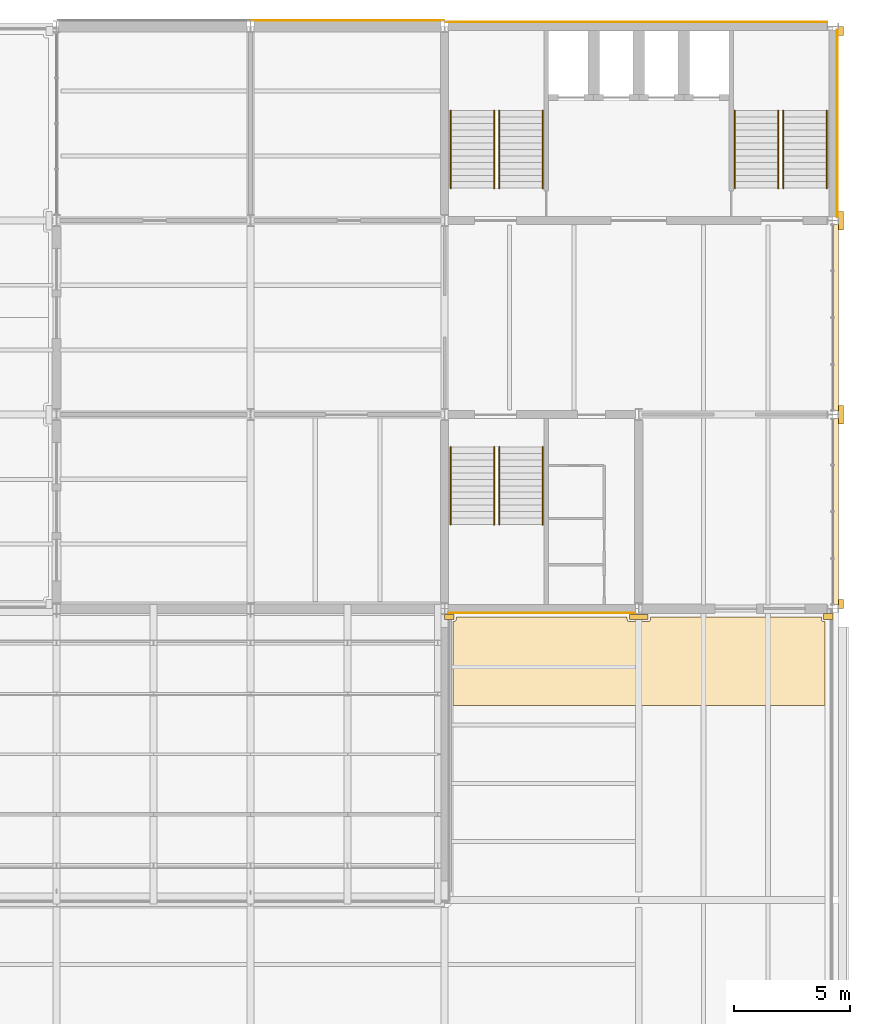
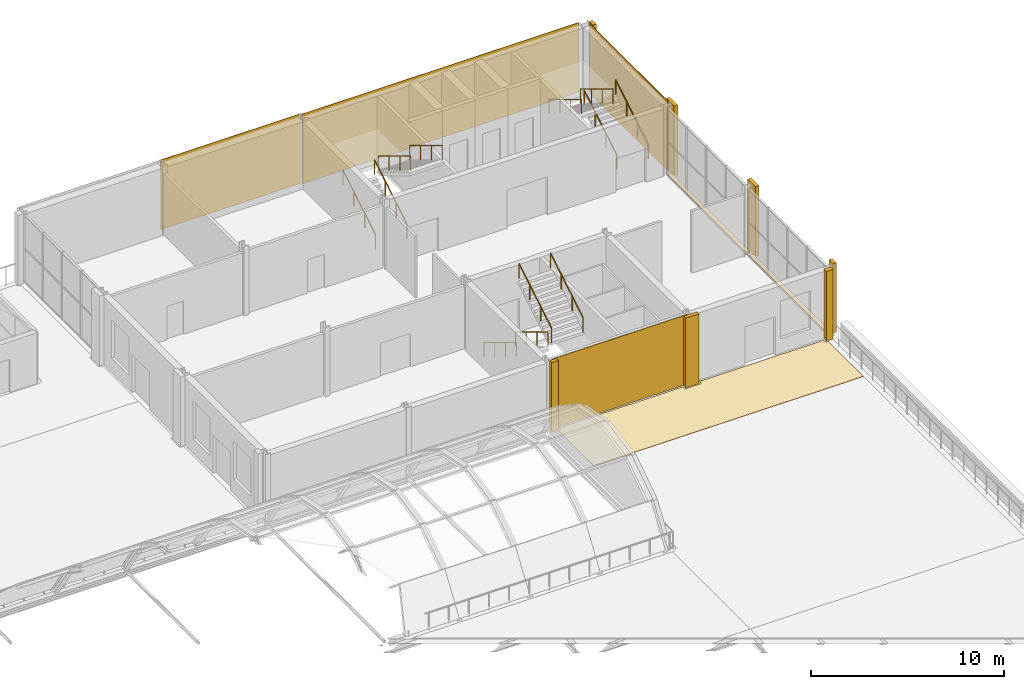
# One storey, part 55 of 58: 14 coverings, 12 railings.
"""IFC4 building model written with IfcOpenShell, lengths in metres."""

from ifc_helpers import new_model, si_unit, direction, frame, origin, origin_2d, place, context, subcontext, project, spatial, polyline, rectangle, circle, outline, extrude, material, layer, layer_set, type_object, element, save


model = new_model("IFC4")

# Units and contexts
model_context = context("Model", 3, precision=1e-05, world=origin(), true_north=direction((0.0, 1.0)))
body_context = subcontext(model_context, "Body", "Model", "MODEL_VIEW")
ifc_project = project(units=[si_unit("LENGTHUNIT", "METRE"), si_unit("AREAUNIT", "SQUARE_METRE"), si_unit("VOLUMEUNIT", "CUBIC_METRE"), si_unit("PLANEANGLEUNIT", "RADIAN"), si_unit("MASSUNIT", "GRAM", prefix="KILO")], contexts=[model_context])

# Site, building, storey
site_placement = place(None, origin())
site = spatial("IfcSite", under=ifc_project, at=site_placement, CompositionType="ELEMENT")
building_placement = place(site_placement, origin())
building = spatial("IfcBuilding", under=site, at=building_placement, Name="Galleria Vessillo Department Store", CompositionType="ELEMENT")
storey_placement = place(building_placement, frame((0.0, 0.0, 31.199951171875)))
storey = spatial("IfcBuildingStorey", under=building, at=storey_placement, Name="L06", CompositionType="ELEMENT", Elevation=31.199951171875)

# Coverings
ifc_material_1 = material(Name="Lime plaster (intonaco) ochre")
ifc_layer_1 = layer(ifc_material_1, 0.030029296875)
ifc_layer_set_1 = layer_set([ifc_layer_1], Name="Lime plaster (intonaco) ochre")
covering_type_1 = type_object("IfcCoveringType", Name="Lime plaster render 30 mm", PredefinedType="CLADDING", material=ifc_layer_set_1)
covering_1_placement = place(storey_placement, frame((96.60009765625, 63.264892578125, 0.0), z_axis=(0.0, 0.0, 1.0), x_axis=(1.0, 0.0, 0.0)))
element("IfcCovering", 1, at=covering_1_placement, inside=storey, type_object=covering_type_1, Name="Wall cladding S-TN-L06-02", PredefinedType="CLADDING", context=body_context, shape_type="SweptSolid", body=[
    extrude(rectangle(XDim=8.34033203125, YDim=0.030029296875, at=origin_2d()), origin(), (0.0, 0.0, 1.0), 4.39990234375),
])
covering_2_placement = place(storey_placement, frame((109.090087890625, 63.18994140625, 0.0), z_axis=(0.0, 0.0, 1.0), x_axis=(1.0, 0.0, 0.0)))
element("IfcCovering", 2, at=covering_2_placement, inside=storey, type_object=covering_type_1, Name="Wall cladding S-CW-TC-PARTY-L06", PredefinedType="CLADDING", context=body_context, shape_type="SweptSolid", body=[
    extrude(rectangle(XDim=16.52001953125, YDim=0.030029296875, at=origin_2d()), origin(), (0.0, 0.0, 1.0), 4.39990234375),
])
ifc_material_2 = material(Name="Botticino limestone ashlar", Category="masonry")
ifc_layer_2 = layer(ifc_material_2, 0.14990234375)
ifc_layer_set_2 = layer_set([ifc_layer_2], Name="Botticino limestone ashlar")
covering_type_2 = type_object("IfcCoveringType", Name="Limestone slab-edge fascia 150 mm", PredefinedType="CLADDING", material=ifc_layer_set_2)
covering_3_placement = place(storey_placement, frame((117.72509765625, 42.0, -0.14990234375), z_axis=(0.0, 0.0, 1.0), x_axis=(1.0, 0.0, 0.0)))
element("IfcCovering", 3, at=covering_3_placement, inside=storey, type_object=covering_type_2, Name="Slab-edge fascia SE-L05-04", PredefinedType="CLADDING", context=body_context, shape_type="SweptSolid", body=[
    extrude(rectangle(XDim=0.25, YDim=8.093017578125, at=origin_2d()), origin(), (0.0, 0.0, 1.0), 0.14990234375),
])
covering_4_placement = place(storey_placement, frame((117.72509765625, 50.39990234375, -0.14990234375), z_axis=(0.0, 0.0, 1.0), x_axis=(1.0, 0.0, 0.0)))
element("IfcCovering", 4, at=covering_4_placement, inside=storey, type_object=covering_type_2, Name="Slab-edge fascia SE-L05-05", PredefinedType="CLADDING", context=body_context, shape_type="SweptSolid", body=[
    extrude(rectangle(XDim=0.25, YDim=8.09326171875, at=origin_2d()), origin(), (0.0, 0.0, 1.0), 0.14990234375),
])
ifc_material_3 = material(Name="Botticino limestone ashlar", Category="masonry")
ifc_layer_3 = layer(ifc_material_3, 0.31005859375)
ifc_layer_set_3 = layer_set([ifc_layer_3], Name="Botticino limestone ashlar")
covering_type_3 = type_object("IfcCoveringType", Name="Limestone tower pilaster strip", PredefinedType="CLADDING", material=ifc_layer_set_3)
covering_5_placement = place(storey_placement, frame((117.955078125, 38.0, 0.0), z_axis=(0.0, 0.0, 1.0), x_axis=(1.0, 0.0, 0.0)))
element("IfcCovering", 5, at=covering_5_placement, inside=storey, type_object=covering_type_3, Name="Tower pilaster strip E L06 37.8", PredefinedType="CLADDING", context=body_context, shape_type="SweptSolid", body=[
    extrude(rectangle(XDim=0.2099609375, YDim=0.39990234375, at=origin_2d()), origin(), (0.0, 0.0, 1.0), 4.39990234375),
])
for number, where, z_axis, x_axis, name in (
    (6, (117.955078125, 46.199951171875, 0.0), (0.0, 0.0, 1.0), (1.0, 0.0, 0.0), "Tower pilaster strip E L06 46.2"),
    (7, (117.955078125, 54.60009765625, 0.0), (0.0, 0.0, 1.0), (1.0, 0.0, 0.0), "Tower pilaster strip E L06 54.6"),
):
    element("IfcCovering", number, at=place(storey_placement, frame(where, z_axis=z_axis, x_axis=x_axis)), inside=storey, type_object=covering_type_3, Name=name, PredefinedType="CLADDING", context=body_context, shape_type="SweptSolid", body=[
        extrude(rectangle(XDim=0.2099609375, YDim=0.800048828125, at=origin_2d()), origin(), (0.0, 0.0, 1.0), 4.39990234375),
    ])
covering_6_placement = place(storey_placement, frame((117.955078125, 62.800048828125, 0.0), z_axis=(0.0, 0.0, 1.0), x_axis=(1.0, 0.0, 0.0)))
element("IfcCovering", 8, at=covering_6_placement, inside=storey, type_object=covering_type_3, Name="Tower pilaster strip E L06 63.0", PredefinedType="CLADDING", context=body_context, shape_type="SweptSolid", body=[
    extrude(rectangle(XDim=0.2099609375, YDim=0.39990234375, at=origin_2d()), origin(), (0.0, 0.0, 1.0), 4.39990234375),
])
covering_7_placement = place(storey_placement, frame((101.0, 37.445068359375, 0.0), z_axis=(0.0, 0.0, 1.0), x_axis=(1.0, 0.0, 0.0)))
element("IfcCovering", 9, at=covering_7_placement, inside=storey, type_object=covering_type_3, Name="Tower pilaster strip S L06 100.8", PredefinedType="CLADDING", context=body_context, shape_type="SweptSolid", body=[
    extrude(rectangle(XDim=0.39990234375, YDim=0.2099609375, at=origin_2d()), origin(), (0.0, 0.0, 1.0), 4.39990234375),
])
covering_8_placement = place(storey_placement, frame((109.199951171875, 37.445068359375, 0.0), z_axis=(0.0, 0.0, 1.0), x_axis=(1.0, 0.0, 0.0)))
element("IfcCovering", 10, at=covering_8_placement, inside=storey, type_object=covering_type_3, Name="Tower pilaster strip S L06 109.2", PredefinedType="CLADDING", context=body_context, shape_type="SweptSolid", body=[
    extrude(rectangle(XDim=0.800048828125, YDim=0.2099609375, at=origin_2d()), origin(), (0.0, 0.0, 1.0), 4.39990234375),
])
covering_9_placement = place(storey_placement, frame((117.400146484375, 37.469970703125, 0.0), z_axis=(0.0, 0.0, 1.0), x_axis=(1.0, 0.0, 0.0)))
element("IfcCovering", 11, at=covering_9_placement, inside=storey, type_object=covering_type_3, Name="Tower pilaster strip S L06 117.6", PredefinedType="CLADDING", context=body_context, shape_type="SweptSolid", body=[
    extrude(rectangle(XDim=0.39990234375, YDim=0.260009765625, at=origin_2d()), origin(), (0.0, 0.0, 1.0), 4.39990234375),
])
ifc_material_4 = material(Name="Botticino limestone ashlar", Category="masonry")
ifc_layer_4 = layer(ifc_material_4, 0.030029296875)
ifc_layer_set_4 = layer_set([ifc_layer_4], Name="Botticino limestone ashlar")
covering_type_4 = type_object("IfcCoveringType", Name="Limestone wall cladding 30 mm", PredefinedType="CLADDING", material=ifc_layer_set_4)
covering_10_placement = place(storey_placement, frame((117.7900390625, 58.800048828125, 0.0), z_axis=(0.0, 0.0, 1.0), x_axis=(1.0, 0.0, 0.0)))
element("IfcCovering", 12, at=covering_10_placement, inside=storey, type_object=covering_type_4, Name="Wall cladding S-CW-TC-EAST-L06", PredefinedType="CLADDING", context=body_context, shape_type="SweptSolid", body=[
    extrude(rectangle(XDim=0.030029296875, YDim=8.099853515625, at=origin_2d()), origin(), (0.0, 0.0, 1.0), 4.39990234375),
])
covering_11_placement = place(storey_placement, frame((105.0, 37.610107421875, 0.0), z_axis=(0.0, 0.0, 1.0), x_axis=(1.0, 0.0, 0.0)))
element("IfcCovering", 13, at=covering_11_placement, inside=storey, type_object=covering_type_4, Name="Wall cladding S-CW-TS-PARTY-L06", PredefinedType="CLADDING", context=body_context, shape_type="SweptSolid", body=[
    extrude(rectangle(XDim=8.099853515625, YDim=0.030029296875, at=origin_2d()), origin(), (0.0, 0.0, 1.0), 4.39990234375),
])
ifc_material_5 = material(Name="Serizzo granite paving", Category="masonry")
ifc_layer_5 = layer(ifc_material_5, 0.0400390625)
ifc_layer_set_5 = layer_set([ifc_layer_5], Name="Serizzo granite paving")
covering_type_5 = type_object("IfcCoveringType", Name="Serizzo stone terrace paving 40 mm", PredefinedType="FLOORING", material=ifc_layer_set_5)
covering_12_placement = place(storey_placement, origin())
element("IfcCovering", 14, at=covering_12_placement, inside=storey, type_object=covering_type_5, Name="Terrace paving L06 field 25", PredefinedType="FLOORING", context=body_context, shape_type="SweptSolid", body=[
    extrude(outline(polyline([(101.150146484375, 37.239990234375), (101.199951171875, 37.239990234375), (101.209716796875, 37.240478515625), (101.219482421875, 37.241943359375), (101.22900390625, 37.244384765625), (101.23828125, 37.24755859375), (101.2470703125, 37.251708984375), (101.255615234375, 37.2568359375), (101.263427734375, 37.2626953125), (101.270751953125, 37.269287109375), (101.27734375, 37.276611328125), (101.283203125, 37.284423828125), (101.2880859375, 37.29296875), (101.29248046875, 37.3017578125), (101.295654296875, 37.31103515625), (101.298095703125, 37.320556640625), (101.299560546875, 37.330078125), (101.300048828125, 37.340087890625), (101.300048828125, 37.449951171875), (108.699951171875, 37.449951171875), (108.699951171875, 37.340087890625), (108.700439453125, 37.330078125), (108.701904296875, 37.320556640625), (108.704345703125, 37.31103515625), (108.70751953125, 37.3017578125), (108.7119140625, 37.29296875), (108.716796875, 37.284423828125), (108.72265625, 37.276611328125), (108.729248046875, 37.269287109375), (108.736572265625, 37.2626953125), (108.744384765625, 37.2568359375), (108.7529296875, 37.251708984375), (108.76171875, 37.24755859375), (108.77099609375, 37.244384765625), (108.780517578125, 37.241943359375), (108.790283203125, 37.240478515625), (108.800048828125, 37.239990234375), (109.60009765625, 37.239990234375), (109.60986328125, 37.240478515625), (109.61962890625, 37.241943359375), (109.629150390625, 37.244384765625), (109.63818359375, 37.24755859375), (109.647216796875, 37.251708984375), (109.655517578125, 37.2568359375), (109.663330078125, 37.2626953125), (109.670654296875, 37.269287109375), (109.67724609375, 37.276611328125), (109.68310546875, 37.284423828125), (109.688232421875, 37.29296875), (109.6923828125, 37.3017578125), (109.69580078125, 37.31103515625), (109.697998046875, 37.320556640625), (109.699462890625, 37.330078125), (109.699951171875, 37.340087890625), (109.699951171875, 37.449951171875), (117.10009765625, 37.449951171875), (117.10009765625, 37.340087890625), (117.1005859375, 37.330078125), (117.10205078125, 37.320556640625), (117.1044921875, 37.31103515625), (117.107666015625, 37.3017578125), (117.11181640625, 37.29296875), (117.116943359375, 37.284423828125), (117.122802734375, 37.276611328125), (117.12939453125, 37.269287109375), (117.13671875, 37.2626953125), (117.14453125, 37.2568359375), (117.153076171875, 37.251708984375), (117.161865234375, 37.24755859375), (117.171142578125, 37.244384765625), (117.1806640625, 37.241943359375), (117.190185546875, 37.240478515625), (117.2001953125, 37.239990234375), (117.25, 37.239990234375), (117.25, 33.60009765625), (101.150146484375, 33.60009765625), (101.150146484375, 37.239990234375)])), origin(), (0.0, 0.0, 1.0), 0.0400390625),
])

# Railings
ifc_material_6 = material(Name="Stainless steel tube", Category="steel")
railing_type = type_object("IfcRailingType", Name="Stair handrail steel tube 48 mm", PredefinedType="HANDRAIL", material=ifc_material_6)
for number, where, name in (
    (15, (101.06005859375, 56.0, 0.169189453125), "Handrail ST8 L06 flight 1A"),
    (16, (102.93994140625, 56.0, 0.169189453125), "Handrail ST8 L06 flight 1B"),
):
    element("IfcRailing", number, at=place(storey_placement, frame(where)), inside=storey, type_object=railing_type, Name=name, PredefinedType="HANDRAIL", context=body_context, shape_type="SweptSolid", body=[
        extrude(circle(Radius=0.02392578125, at=origin_2d()), frame((0.0, 0.0, 0.89599609375), z_axis=(0.0, 0.855826086875, 0.517263674565), x_axis=(-1.0, 0.0, 0.0)), (0.0, 0.0, 1.0), 1.308837890625),
        extrude(circle(Radius=0.02392578125, at=origin_2d()), frame((0.0, 1.1201171875, 1.57275390625), z_axis=(0.0, 0.855776165093, 0.517346262438), x_axis=(-1.0, 0.0, 0.0)), (0.0, 0.0, 1.0), 1.30859375),
        extrude(circle(Radius=0.02392578125, at=origin_2d()), frame((0.0, 2.239990234375, 2.25), z_axis=(0.0, 0.855908661032, 0.517127028854), x_axis=(-1.0, 0.0, 0.0)), (0.0, 0.0, 1.0), 1.30859375),
        extrude(circle(Radius=0.02099609375, at=origin_2d()), origin(), (0.0, 0.0, 1.0), 0.871826171875),
        extrude(circle(Radius=0.02099609375, at=origin_2d()), frame((0.0, 1.1201171875, 0.677001953125)), (0.0, 0.0, 1.0), 0.871826171875),
        extrude(circle(Radius=0.02099609375, at=origin_2d()), frame((0.0, 2.239990234375, 1.35400390625)), (0.0, 0.0, 1.0), 0.871826171875),
        extrude(circle(Radius=0.02099609375, at=origin_2d()), frame((0.0, 3.360107421875, 2.03076171875)), (0.0, 0.0, 1.0), 0.871826171875),
    ])
for number, where, name in (
    (17, (105.0400390625, 59.360107421875, 2.369140625), "Handrail ST8 L06 flight 2A"),
    (18, (103.16015625, 59.360107421875, 2.369140625), "Handrail ST8 L06 flight 2B"),
):
    element("IfcRailing", number, at=place(storey_placement, frame(where)), inside=storey, type_object=railing_type, Name=name, PredefinedType="HANDRAIL", context=body_context, shape_type="SweptSolid", body=[
        extrude(circle(Radius=0.02392578125, at=origin_2d()), frame((0.0, 0.0, 0.89599609375), z_axis=(0.0, -0.855826086875, 0.517263674565), x_axis=(1.0, 0.0, 0.0)), (0.0, 0.0, 1.0), 1.308837890625),
        extrude(circle(Radius=0.02392578125, at=origin_2d()), frame((0.0, -1.1201171875, 1.57275390625), z_axis=(0.0, -0.855776165093, 0.517346262438), x_axis=(1.0, 0.0, 0.0)), (0.0, 0.0, 1.0), 1.30859375),
        extrude(circle(Radius=0.02392578125, at=origin_2d()), frame((0.0, -2.239990234375, 2.25), z_axis=(0.0, -0.855908661032, 0.517127028854), x_axis=(1.0, 0.0, 0.0)), (0.0, 0.0, 1.0), 1.30859375),
        extrude(circle(Radius=0.02099609375, at=origin_2d()), origin(), (0.0, 0.0, 1.0), 0.871826171875),
        extrude(circle(Radius=0.02099609375, at=origin_2d()), frame((0.0, -1.1201171875, 0.677001953125)), (0.0, 0.0, 1.0), 0.871826171875),
        extrude(circle(Radius=0.02099609375, at=origin_2d()), frame((0.0, -2.239990234375, 1.35400390625)), (0.0, 0.0, 1.0), 0.871826171875),
        extrude(circle(Radius=0.02099609375, at=origin_2d()), frame((0.0, -3.360107421875, 2.03076171875)), (0.0, 0.0, 1.0), 0.871826171875),
    ])
for number, where, name in (
    (19, (115.4599609375, 56.0, 0.169189453125), "Handrail ST9 L06 flight 1A"),
    (20, (117.33984375, 56.0, 0.169189453125), "Handrail ST9 L06 flight 1B"),
):
    element("IfcRailing", number, at=place(storey_placement, frame(where)), inside=storey, type_object=railing_type, Name=name, PredefinedType="HANDRAIL", context=body_context, shape_type="SweptSolid", body=[
        extrude(circle(Radius=0.02392578125, at=origin_2d()), frame((0.0, 0.0, 0.89599609375), z_axis=(0.0, 0.855826086875, 0.517263674565), x_axis=(-1.0, 0.0, 0.0)), (0.0, 0.0, 1.0), 1.308837890625),
        extrude(circle(Radius=0.02392578125, at=origin_2d()), frame((0.0, 1.1201171875, 1.57275390625), z_axis=(0.0, 0.855776165093, 0.517346262438), x_axis=(-1.0, 0.0, 0.0)), (0.0, 0.0, 1.0), 1.30859375),
        extrude(circle(Radius=0.02392578125, at=origin_2d()), frame((0.0, 2.239990234375, 2.25), z_axis=(0.0, 0.855908661032, 0.517127028854), x_axis=(-1.0, 0.0, 0.0)), (0.0, 0.0, 1.0), 1.30859375),
        extrude(circle(Radius=0.02099609375, at=origin_2d()), origin(), (0.0, 0.0, 1.0), 0.871826171875),
        extrude(circle(Radius=0.02099609375, at=origin_2d()), frame((0.0, 1.1201171875, 0.677001953125)), (0.0, 0.0, 1.0), 0.871826171875),
        extrude(circle(Radius=0.02099609375, at=origin_2d()), frame((0.0, 2.239990234375, 1.35400390625)), (0.0, 0.0, 1.0), 0.871826171875),
        extrude(circle(Radius=0.02099609375, at=origin_2d()), frame((0.0, 3.360107421875, 2.03076171875)), (0.0, 0.0, 1.0), 0.871826171875),
    ])
for number, where, name in (
    (21, (115.239990234375, 59.360107421875, 2.369140625), "Handrail ST9 L06 flight 2A"),
    (22, (113.360107421875, 59.360107421875, 2.369140625), "Handrail ST9 L06 flight 2B"),
    (23, (102.93994140625, 44.800048828125, 0.169189453125), "Handrail ST12 L06 flight 1A"),
    (24, (101.06005859375, 44.800048828125, 0.169189453125), "Handrail ST12 L06 flight 1B"),
):
    element("IfcRailing", number, at=place(storey_placement, frame(where)), inside=storey, type_object=railing_type, Name=name, PredefinedType="HANDRAIL", context=body_context, shape_type="SweptSolid", body=[
        extrude(circle(Radius=0.02392578125, at=origin_2d()), frame((0.0, 0.0, 0.89599609375), z_axis=(0.0, -0.855826086875, 0.517263674565), x_axis=(1.0, 0.0, 0.0)), (0.0, 0.0, 1.0), 1.308837890625),
        extrude(circle(Radius=0.02392578125, at=origin_2d()), frame((0.0, -1.1201171875, 1.57275390625), z_axis=(0.0, -0.855776165093, 0.517346262438), x_axis=(1.0, 0.0, 0.0)), (0.0, 0.0, 1.0), 1.30859375),
        extrude(circle(Radius=0.02392578125, at=origin_2d()), frame((0.0, -2.239990234375, 2.25), z_axis=(0.0, -0.855908661032, 0.517127028854), x_axis=(1.0, 0.0, 0.0)), (0.0, 0.0, 1.0), 1.30859375),
        extrude(circle(Radius=0.02099609375, at=origin_2d()), origin(), (0.0, 0.0, 1.0), 0.871826171875),
        extrude(circle(Radius=0.02099609375, at=origin_2d()), frame((0.0, -1.1201171875, 0.677001953125)), (0.0, 0.0, 1.0), 0.871826171875),
        extrude(circle(Radius=0.02099609375, at=origin_2d()), frame((0.0, -2.239990234375, 1.35400390625)), (0.0, 0.0, 1.0), 0.871826171875),
        extrude(circle(Radius=0.02099609375, at=origin_2d()), frame((0.0, -3.360107421875, 2.03076171875)), (0.0, 0.0, 1.0), 0.871826171875),
    ])
for number, where, name in (
    (25, (103.16015625, 41.43994140625, 2.369140625), "Handrail ST12 L06 flight 2A"),
    (26, (105.0400390625, 41.43994140625, 2.369140625), "Handrail ST12 L06 flight 2B"),
):
    element("IfcRailing", number, at=place(storey_placement, frame(where)), inside=storey, type_object=railing_type, Name=name, PredefinedType="HANDRAIL", context=body_context, shape_type="SweptSolid", body=[
        extrude(circle(Radius=0.02392578125, at=origin_2d()), frame((0.0, 0.0, 0.89599609375), z_axis=(0.0, 0.855826086875, 0.517263674565), x_axis=(-1.0, 0.0, 0.0)), (0.0, 0.0, 1.0), 1.308837890625),
        extrude(circle(Radius=0.02392578125, at=origin_2d()), frame((0.0, 1.1201171875, 1.57275390625), z_axis=(0.0, 0.855776165093, 0.517346262438), x_axis=(-1.0, 0.0, 0.0)), (0.0, 0.0, 1.0), 1.30859375),
        extrude(circle(Radius=0.02392578125, at=origin_2d()), frame((0.0, 2.239990234375, 2.25), z_axis=(0.0, 0.855908661032, 0.517127028854), x_axis=(-1.0, 0.0, 0.0)), (0.0, 0.0, 1.0), 1.30859375),
        extrude(circle(Radius=0.02099609375, at=origin_2d()), origin(), (0.0, 0.0, 1.0), 0.871826171875),
        extrude(circle(Radius=0.02099609375, at=origin_2d()), frame((0.0, 1.1201171875, 0.677001953125)), (0.0, 0.0, 1.0), 0.871826171875),
        extrude(circle(Radius=0.02099609375, at=origin_2d()), frame((0.0, 2.239990234375, 1.35400390625)), (0.0, 0.0, 1.0), 0.871826171875),
        extrude(circle(Radius=0.02099609375, at=origin_2d()), frame((0.0, 3.360107421875, 2.03076171875)), (0.0, 0.0, 1.0), 0.871826171875),
    ])

save(model, "model.ifc")
